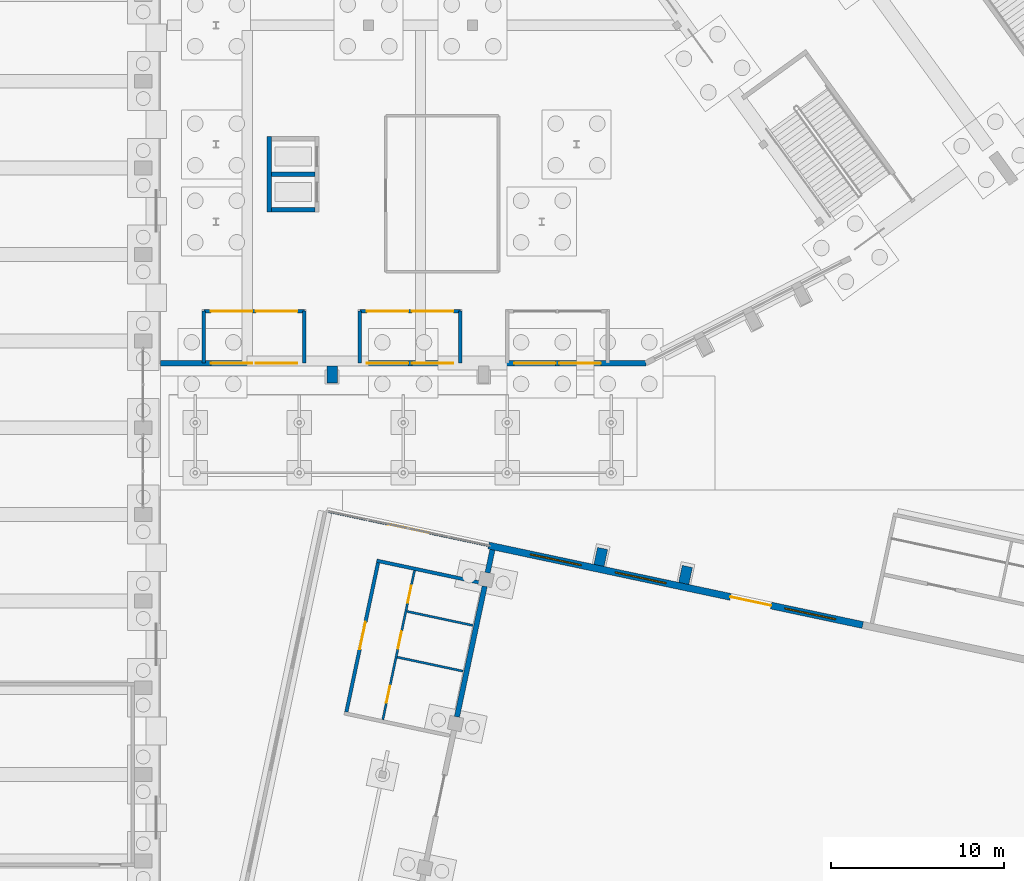
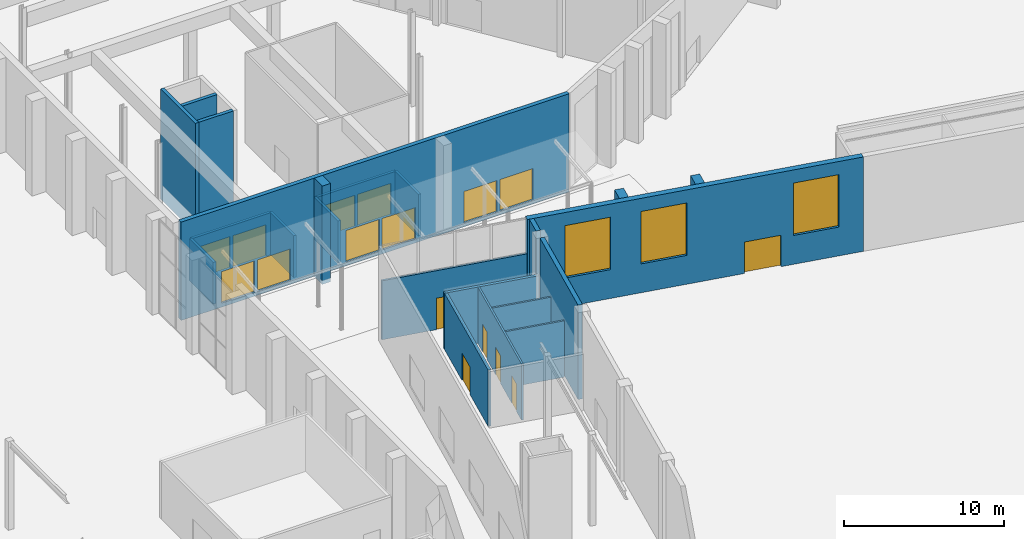
# One storey, part 182 of 239: 22 walls, 16 doors, 3 windows, 19 openings.
"""IFC4 building model written with IfcOpenShell, lengths in metres."""

import ifcopenshell
import ifcopenshell.guid

model = None  # the IFC model being written
_history = None  # IfcOwnerHistory: only IFC2X3 demands one
_inside = {}  # id of a spatial element -> (the spatial element, [elements in it])
_under = {}  # id of a project, library or spatial element -> (it, [spatial elements below it])
_declared = {}  # id of a project -> (the project, [libraries it declares])
_typed = {}  # id of a type object -> (the type object, [elements of that type])
_made_of = {}  # id of a material, layer set ... -> (it, [elements and type objects made of it])


def new_model(schema):
    """Start an empty IFC model of exactly this schema.

    Asked for "IFC4X3", IfcOpenShell would pick the latest addendum, in which some entities
    have other attributes; the version numbers below select the first issue.
    IFC2X3 requires an IfcOwnerHistory on every rooted entity: one is made here for all.
    """
    global model, _history
    if schema == "IFC4X3":
        model = ifcopenshell.file(schema_version=(4, 3, 0, 0))
    else:
        model = ifcopenshell.file(schema=schema)
    _inside.clear()
    _under.clear()
    _declared.clear()
    _typed.clear()
    _made_of.clear()
    _history = None
    if model.schema == "IFC2X3":
        org = make("IfcOrganization", Name="unknown")
        user = make(
            "IfcPersonAndOrganization",
            ThePerson=make("IfcPerson", FamilyName="unknown"),
            TheOrganization=org,
        )
        app = make(
            "IfcApplication",
            ApplicationDeveloper=org,
            Version="unknown",
            ApplicationFullName="unknown",
            ApplicationIdentifier="unknown",
        )
        _history = make(
            "IfcOwnerHistory",
            OwningUser=user,
            OwningApplication=app,
            ChangeAction="ADDED",
            CreationDate=0,
        )
    return model


def make(cls, **values):
    """One entity of the class cls with the attributes given. An attribute that is None is left unset."""
    return model.create_entity(
        cls, **{name: value for name, value in values.items() if value is not None}
    )


def rooted(cls, **values):
    """An entity with a GlobalId (a new one), such as an element, a storey or a relation."""
    return make(cls, GlobalId=ifcopenshell.guid.new(), OwnerHistory=_history, **values)


def si_unit(unit_type, name, prefix=None):
    """IfcSIUnit, for example si_unit("LENGTHUNIT", "METRE", prefix="MILLI")."""
    return make("IfcSIUnit", UnitType=unit_type, Prefix=prefix, Name=name)


def assignment(units):
    """IfcUnitAssignment: the units of a project."""
    return None if units is None else make("IfcUnitAssignment", Units=units)


def point(xyz):
    """IfcCartesianPoint."""
    return None if xyz is None else make("IfcCartesianPoint", Coordinates=xyz)


def direction(xyz):
    """IfcDirection."""
    return None if xyz is None else make("IfcDirection", DirectionRatios=xyz)


def frame(location, z_axis=None, x_axis=None):
    """IfcAxis2Placement3D, a coordinate frame: its origin and axes. An axis left out is left unset."""
    return make(
        "IfcAxis2Placement3D",
        Location=point(location),
        Axis=direction(z_axis),
        RefDirection=direction(x_axis),
    )


def frame_2d(location, x_axis=None):
    """IfcAxis2Placement2D, a coordinate frame in the plane: its origin and x axis."""
    return make(
        "IfcAxis2Placement2D", Location=point(location), RefDirection=direction(x_axis)
    )


def origin():
    """The frame at (0, 0, 0) with its axes left unset."""
    return frame((0.0, 0.0, 0.0))


def place(relative_to, where):
    """IfcLocalPlacement: puts the frame where relative to a parent placement (None: the world)."""
    return make(
        "IfcLocalPlacement", PlacementRelTo=relative_to, RelativePlacement=where
    )


def context(
    kind, dimensions, precision=None, world=None, true_north=None, identifier=None
):
    """IfcGeometricRepresentationContext, for example the 3D "Model" context."""
    return make(
        "IfcGeometricRepresentationContext",
        ContextIdentifier=identifier,
        ContextType=kind,
        CoordinateSpaceDimension=dimensions,
        Precision=precision,
        WorldCoordinateSystem=world,
        TrueNorth=true_north,
    )


def subcontext(parent, identifier, kind, view, scale=None):
    """IfcGeometricRepresentationSubContext, for example "Body" below "Model"."""
    return make(
        "IfcGeometricRepresentationSubContext",
        ContextIdentifier=identifier,
        ContextType=kind,
        ParentContext=parent,
        TargetScale=scale,
        TargetView=view,
    )


def project(units=None, contexts=None):
    """IfcProject with its units and contexts."""
    return rooted(
        "IfcProject",
        Name="project",
        RepresentationContexts=contexts,
        UnitsInContext=assignment(units),
    )


def spatial(cls, under=None, at=None, **own):
    """A site, building, storey or space (cls), placed at a placement, below another one or the project."""
    s = rooted(cls, ObjectPlacement=at, **own)
    if under is not None:
        _under.setdefault(under.id(), (under, []))[1].append(s)
    return s


def profile(cls, at=None, kind="AREA", **sizes):
    """A parametric profile (cls). Its sizes go by their IFC names, for example OverallWidth=200.0."""
    return make(cls, ProfileType=kind, Position=at, **sizes)


def rectangle(**sizes):
    """IfcRectangleProfileDef."""
    return profile("IfcRectangleProfileDef", **sizes)


def extrude(swept, where, along, depth):
    """IfcExtrudedAreaSolid: the profile swept, set in the frame where, extruded along a direction by depth."""
    return make(
        "IfcExtrudedAreaSolid",
        SweptArea=swept,
        Position=where,
        ExtrudedDirection=direction(along),
        Depth=depth,
    )


def shape(context_of_items, identifier, shape_type, items):
    """IfcShapeRepresentation: the items that make up one representation, for example the "Body"."""
    return make(
        "IfcShapeRepresentation",
        ContextOfItems=context_of_items,
        RepresentationIdentifier=identifier,
        RepresentationType=shape_type,
        Items=items,
    )


def material(Name=None, Category=None):
    """IfcMaterial."""
    return make("IfcMaterial", Name=Name, Category=Category)


def layer(
    of_material, thickness, ventilated=None, Name=None, Category=None, Priority=None
):
    """IfcMaterialLayer: one layer of a wall or slab, of a material (None: an air gap)."""
    return make(
        "IfcMaterialLayer",
        Material=of_material,
        LayerThickness=thickness,
        IsVentilated=ventilated,
        Name=Name,
        Category=Category,
        Priority=Priority,
    )


def layer_set(layers, Name=None):
    """IfcMaterialLayerSet."""
    return make("IfcMaterialLayerSet", MaterialLayers=layers, LayerSetName=Name)


def made_of(thing, what):
    """Note that an element or type object is made of a material, layer set ...; save() writes the relation."""
    if what is not None:
        _made_of.setdefault(what.id(), (what, []))[1].append(thing)
    return thing


def type_object(cls, material=None, **own):
    """A type object (cls), such as IfcWallType, which elements share."""
    return made_of(rooted(cls, **own), material)


def element(
    cls,
    number,
    at=None,
    inside=None,
    cuts=None,
    type_object=None,
    material=None,
    context=None,
    identifier="Body",
    shape_type=None,
    held_by="IfcProductDefinitionShape",
    body=None,
    shapes=None,
    **own,
):
    """One element of the class cls, such as IfcWall. Its Tag is "e" and its number.

    at: its placement. inside: the storey or other place that contains it. cuts: it is an
    opening in that element (IfcRelVoidsElement). A single representation is given by context,
    identifier, shape_type and body (its items); several are given by shapes. held_by: the class
    of the entity that holds the representations. save() writes the other relations.
    """
    e = rooted(cls, Tag="e%d" % number, ObjectPlacement=at, **own)
    if body is not None:
        shapes = [shape(context, identifier, shape_type, body)]
    if shapes is not None:
        e.Representation = make(held_by, Representations=shapes)
    if inside is not None:
        _inside.setdefault(inside.id(), (inside, []))[1].append(e)
    if cuts is not None:
        rooted(
            "IfcRelVoidsElement", RelatingBuildingElement=cuts, RelatedOpeningElement=e
        )
    if type_object is not None:
        _typed.setdefault(type_object.id(), (type_object, []))[1].append(e)
    return made_of(e, material)


def fill(opening, filler):
    """IfcRelFillsElement: the door or window that sits in an opening."""
    return rooted(
        "IfcRelFillsElement",
        RelatingOpeningElement=opening,
        RelatedBuildingElement=filler,
    )


def aggregate(whole, parts):
    """IfcRelAggregates: a whole, such as a stair, and the parts it consists of."""
    return rooted("IfcRelAggregates", RelatingObject=whole, RelatedObjects=parts)


def save(model, path):
    """Write the relations noted so far, then the file.

    IfcRelAggregates (storeys below a building ...), IfcRelContainedInSpatialStructure (elements
    in a storey), IfcRelDefinesByType, IfcRelAssociatesMaterial and IfcRelDeclares: one each for
    every whole, place, type object, material and project.
    """
    for whole, parts in _under.values():
        aggregate(whole, parts)
    for where, things in _inside.values():
        rooted(
            "IfcRelContainedInSpatialStructure",
            RelatedElements=things,
            RelatingStructure=where,
        )
    for kind, things in _typed.values():
        rooted("IfcRelDefinesByType", RelatedObjects=things, RelatingType=kind)
    for what, things in _made_of.values():
        rooted("IfcRelAssociatesMaterial", RelatedObjects=things, RelatingMaterial=what)
    for by, libraries in _declared.values():
        rooted("IfcRelDeclares", RelatingContext=by, RelatedDefinitions=libraries)
    model.write(path)


model = new_model("IFC4")

# Units and contexts
model_context = context("Model", 3, precision=1e-05, world=origin(), true_north=direction((0.0, 1.0)))
body_context = subcontext(model_context, "Body", "Model", "MODEL_VIEW")
ifc_project = project(units=[si_unit("LENGTHUNIT", "METRE"), si_unit("AREAUNIT", "SQUARE_METRE"), si_unit("VOLUMEUNIT", "CUBIC_METRE"), si_unit("PLANEANGLEUNIT", "RADIAN"), si_unit("MASSUNIT", "GRAM", prefix="KILO")], contexts=[model_context])

# Site, building, storey
site_placement = place(None, origin())
site = spatial("IfcSite", under=ifc_project, at=site_placement, CompositionType="ELEMENT")
building_placement = place(site_placement, origin())
building = spatial("IfcBuilding", under=site, at=building_placement, Name="Okhra Congress Centre", CompositionType="ELEMENT")
storey_placement = place(building_placement, origin())
storey = spatial("IfcBuildingStorey", under=building, at=storey_placement, Name="L00", CompositionType="ELEMENT", Elevation=0.0)

# Wall, opening, door
ifc_material_1 = material(Name="Aluminium frame with insulated glazing (thermally broken)", Category="aluminium")
ifc_layer_1 = layer(ifc_material_1, 0.14990234375)
ifc_layer_set_1 = layer_set([ifc_layer_1], Name="Aluminium glazed screen wall 150")
wall_type_1 = type_object("IfcWallType", Name="Aluminium glazed screen wall 150", PredefinedType="SOLIDWALL", material=ifc_layer_set_1)
wall_1_placement = place(storey_placement, frame((199.60546875, 141.1904296875, 0.0), z_axis=(0.0, 0.0, 1.0), x_axis=(0.978150512552, -0.207897991319, 0.0)))
wall_1 = element("IfcWall", 1, at=wall_1_placement, inside=storey, type_object=wall_type_1, Name="Foyer north entrance wall", PredefinedType="SOLIDWALL", context=body_context, shape_type="SweptSolid", body=[
    extrude(rectangle(XDim=9.60009765625, YDim=0.14990234375, at=frame_2d((4.800048828125, 0.0))), origin(), (0.0, 0.0, 1.0), 4.5),
])
opening_1_placement = place(wall_1_placement, frame((3.60009765625, 0.0, 0.0)))
opening_1 = element("IfcOpeningElement", 2, at=opening_1_placement, cuts=wall_1, Name="Opening L00-120", PredefinedType="OPENING", context=body_context, shape_type="SweptSolid", body=[
    extrude(rectangle(XDim=2.39990234375, YDim=2.39990234375, at=frame_2d((1.199951171875, 1.199951171875))), frame((0.0, 0.0849609375, 0.0), z_axis=(0.0, -1.0, 0.0), x_axis=(1.0, 0.0, 0.0)), (0.0, 0.0, 1.0), 0.169921875),
])
ifc_material_2 = material(Name="Aluminium-framed toughened glass door leaves", Category="aluminium")
door_type_1 = type_object("IfcDoorType", Name="Aluminium glazed door pair 2400x2400", OperationType="NOTDEFINED", PredefinedType="DOOR", material=ifc_material_2)
door_1_placement = place(opening_1_placement, origin())
door_1 = element("IfcDoor", 3, at=door_1_placement, inside=storey, type_object=door_type_1, Name="Foyer north exit doors", OperationType="DOUBLE_DOOR_SINGLE_SWING", OverallHeight=2.39990234375, OverallWidth=2.39990234375, PredefinedType="DOOR", context=body_context, shape_type="SweptSolid", body=[
    extrude(rectangle(XDim=2.39990234375, YDim=2.39990234375, at=frame_2d((1.199951171875, 1.199951171875))), frame((0.0, 0.02490234375, 0.0), z_axis=(0.0, -1.0, 0.0), x_axis=(1.0, 0.0, 0.0)), (0.0, 0.0, 1.0), 0.050048828125),
])
fill(opening_1, door_1)

# Walls
ifc_material_3 = material(Name="Concrete C35/45", Category="concrete")
ifc_layer_2 = layer(ifc_material_3, 0.60009765625)
ifc_layer_set_2 = layer_set([ifc_layer_2], Name="Ballroom wall fin 600 R 120 C35/45")
wall_type_2 = type_object("IfcWallType", Name="Ballroom wall fin 600 R 120 C35/45", PredefinedType="SOLIDWALL", material=ifc_layer_set_2)
wall_2_placement = place(storey_placement, frame((215.29736328125, 138.0595703125, -0.300048828125), z_axis=(0.0, 0.0, 1.0), x_axis=(0.208028123778, 0.978122844901, 0.0)))
element("IfcWall", 4, at=wall_2_placement, inside=storey, type_object=wall_type_2, Name="Ballroom wall fin north-west 1 L00", PredefinedType="SOLIDWALL", context=body_context, shape_type="SweptSolid", body=[
    extrude(rectangle(XDim=1.0, YDim=0.60009765625, at=frame_2d((0.5, 0.0))), origin(), (0.0, 0.0, 1.0), 7.5),
])
wall_3_placement = place(storey_placement, frame((220.188232421875, 137.02001953125, -0.300048828125), z_axis=(0.0, 0.0, 1.0), x_axis=(0.20779450791, 0.978172501394, 0.0)))
element("IfcWall", 5, at=wall_3_placement, inside=storey, type_object=wall_type_2, Name="Ballroom wall fin north-west 2 L00", PredefinedType="SOLIDWALL", context=body_context, shape_type="SweptSolid", body=[
    extrude(rectangle(XDim=0.999755859375, YDim=0.60009765625, at=frame_2d((0.5, 0.0))), origin(), (0.0, 0.0, 1.0), 7.5),
])
ifc_layer_3 = layer(ifc_material_3, 0.60009765625)
ifc_layer_set_3 = layer_set([ifc_layer_3], Name="Foyer wall fin 600 R 120 C35/45")
wall_type_3 = type_object("IfcWallType", Name="Foyer wall fin 600 R 120 C35/45", PredefinedType="SOLIDWALL", material=ifc_layer_set_3)
wall_4_placement = place(storey_placement, frame((199.89990234375, 149.580078125, -0.300048828125), z_axis=(0.0, 0.0, 1.0), x_axis=(0.0, -1.0, 0.0)))
element("IfcWall", 6, at=wall_4_placement, inside=storey, type_object=wall_type_3, Name="Foyer wall fin 1 L00", PredefinedType="SOLIDWALL", context=body_context, shape_type="SweptSolid", body=[
    extrude(rectangle(XDim=1.0, YDim=0.60009765625, at=frame_2d((0.5, 0.0))), origin(), (0.0, 0.0, 1.0), 7.5),
])

# Wall, openings, door, windows
ifc_material_4 = material(Name="Insulated metal sandwich panel (mineral wool core)")
ifc_layer_4 = layer(ifc_material_4, 0.39990234375)
ifc_layer_set_4 = layer_set([ifc_layer_4], Name="Insulated wall panel 400")
wall_type_4 = type_object("IfcWallType", Name="Insulated wall panel 400", PredefinedType="SOLIDWALL", material=ifc_layer_set_4)
wall_5_placement = place(storey_placement, frame((208.92724609375, 139.208984375, 0.0), z_axis=(0.0, 0.0, 1.0), x_axis=(0.978147350686, -0.207912867197, 0.0)))
wall_5 = element("IfcWall", 7, at=wall_5_placement, inside=storey, type_object=wall_type_4, Name="Ballroom north-west wall L00", PredefinedType="SOLIDWALL", context=body_context, shape_type="SweptSolid", body=[
    extrude(rectangle(XDim=22.06982421875, YDim=0.39990234375, at=frame_2d((11.034912109375, 0.0))), origin(), (0.0, 0.0, 1.0), 7.199951171875),
])
opening_2_placement = place(wall_5_placement, frame((14.27001953125, 0.0, 0.0)))
opening_2 = element("IfcOpeningElement", 8, at=opening_2_placement, cuts=wall_5, Name="Opening L00-112", PredefinedType="OPENING", context=body_context, shape_type="SweptSolid", body=[
    extrude(rectangle(XDim=2.39990234375, YDim=2.39990234375, at=frame_2d((1.199951171875, 1.199951171875))), frame((0.0, 0.2099609375, 0.0), z_axis=(0.0, -1.0, 0.0), x_axis=(1.0, 0.0, 0.0)), (0.0, 0.0, 1.0), 0.419921875),
])
opening_3_placement = place(wall_5_placement, frame((2.469970703125, 0.0, 2.199951171875)))
opening_3 = element("IfcOpeningElement", 9, at=opening_3_placement, cuts=wall_5, Name="Opening WN12", PredefinedType="OPENING", context=body_context, shape_type="SweptSolid", body=[
    extrude(rectangle(XDim=3.0, YDim=4.0, at=frame_2d((1.5, 2.0))), frame((0.0, 0.2099609375, 0.0), z_axis=(0.0, -1.0, 0.0), x_axis=(1.0, 0.0, 0.0)), (0.0, 0.0, 1.0), 0.419921875),
])
opening_4_placement = place(wall_5_placement, frame((7.469970703125, 0.0, 2.199951171875)))
opening_4 = element("IfcOpeningElement", 10, at=opening_4_placement, cuts=wall_5, Name="Opening WN12", PredefinedType="OPENING", context=body_context, shape_type="SweptSolid", body=[
    extrude(rectangle(XDim=3.0, YDim=4.0, at=frame_2d((1.5, 2.0))), frame((0.0, 0.2099609375, 0.0), z_axis=(0.0, -1.0, 0.0), x_axis=(1.0, 0.0, 0.0)), (0.0, 0.0, 1.0), 0.419921875),
])
opening_5_placement = place(wall_5_placement, frame((17.469970703125, 0.0, 2.199951171875)))
opening_5 = element("IfcOpeningElement", 11, at=opening_5_placement, cuts=wall_5, Name="Opening WN12", PredefinedType="OPENING", context=body_context, shape_type="SweptSolid", body=[
    extrude(rectangle(XDim=3.0, YDim=4.0, at=frame_2d((1.5, 2.0))), frame((0.0, 0.2099609375, 0.0), z_axis=(0.0, -1.0, 0.0), x_axis=(1.0, 0.0, 0.0)), (0.0, 0.0, 1.0), 0.419921875),
])
ifc_material_5 = material(Name="Timber door leaves in steel frame", Category="steel")
door_type_2 = type_object("IfcDoorType", Name="Double swing door 2400x2400", OperationType="NOTDEFINED", PredefinedType="DOOR", material=ifc_material_5)
door_2_placement = place(opening_2_placement, origin())
door_2 = element("IfcDoor", 12, at=door_2_placement, inside=storey, type_object=door_type_2, Name="Ballroom north-west exit doors", OperationType="DOUBLE_DOOR_SINGLE_SWING", OverallHeight=2.39990234375, OverallWidth=2.39990234375, PredefinedType="DOOR", context=body_context, shape_type="SweptSolid", body=[
    extrude(rectangle(XDim=2.39990234375, YDim=2.39990234375, at=frame_2d((1.199951171875, 1.199951171875))), frame((0.0, 0.02490234375, 0.0), z_axis=(0.0, -1.0, 0.0), x_axis=(1.0, 0.0, 0.0)), (0.0, 0.0, 1.0), 0.050048828125),
])
fill(opening_2, door_2)
ifc_material_6 = material(Name="Thermally broken aluminium frame, triple glazing", Category="aluminium")
window_type = type_object("IfcWindowType", Name="Fixed window 3000x4000", PartitioningType="SINGLE_PANEL", PredefinedType="WINDOW", material=ifc_material_6)
window_1_placement = place(opening_3_placement, origin())
window_1 = element("IfcWindow", 13, at=window_1_placement, inside=storey, type_object=window_type, Name="Ballroom side window", OverallHeight=4.0, OverallWidth=3.0, PartitioningType="SINGLE_PANEL", PredefinedType="WINDOW", context=body_context, shape_type="SweptSolid", body=[
    extrude(rectangle(XDim=3.0, YDim=4.0, at=frame_2d((1.5, 2.0))), frame((0.0, 0.030029296875, 0.0), z_axis=(0.0, -1.0, 0.0), x_axis=(1.0, 0.0, 0.0)), (0.0, 0.0, 1.0), 0.06005859375),
])
fill(opening_3, window_1)
window_2_placement = place(opening_4_placement, origin())
window_2 = element("IfcWindow", 14, at=window_2_placement, inside=storey, type_object=window_type, Name="Ballroom side window", OverallHeight=4.0, OverallWidth=3.0, PartitioningType="SINGLE_PANEL", PredefinedType="WINDOW", context=body_context, shape_type="SweptSolid", body=[
    extrude(rectangle(XDim=3.0, YDim=4.0, at=frame_2d((1.5, 2.0))), frame((0.0, 0.030029296875, 0.0), z_axis=(0.0, -1.0, 0.0), x_axis=(1.0, 0.0, 0.0)), (0.0, 0.0, 1.0), 0.06005859375),
])
fill(opening_4, window_2)
window_3_placement = place(opening_5_placement, origin())
window_3 = element("IfcWindow", 15, at=window_3_placement, inside=storey, type_object=window_type, Name="Ballroom side window", OverallHeight=4.0, OverallWidth=3.0, PartitioningType="SINGLE_PANEL", PredefinedType="WINDOW", context=body_context, shape_type="SweptSolid", body=[
    extrude(rectangle(XDim=3.0, YDim=4.0, at=frame_2d((1.5, 2.0))), frame((0.0, 0.030029296875, 0.0), z_axis=(0.0, -1.0, 0.0), x_axis=(1.0, 0.0, 0.0)), (0.0, 0.0, 1.0), 0.06005859375),
])
fill(opening_5, window_3)

# Walls
ifc_material_7 = material(Name="Gypsum board on steel studs", Category="steel")
ifc_layer_5 = layer(ifc_material_7, 0.125)
ifc_layer_set_5 = layer_set([ifc_layer_5], Name="Partition 125")
wall_type_5 = type_object("IfcWallType", Name="Partition 125", PredefinedType="PARTITIONING", material=ifc_layer_set_5)
wall_6_placement = place(storey_placement, frame((203.654541015625, 132.764404296875, 0.0), z_axis=(0.0, 0.0, 1.0), x_axis=(0.978144803819, -0.207924848834, 0.0)))
element("IfcWall", 16, at=wall_6_placement, inside=storey, type_object=wall_type_5, Name="Women's WC partition", PredefinedType="PARTITIONING", context=body_context, shape_type="SweptSolid", body=[
    extrude(rectangle(XDim=3.8876953125, YDim=0.125, at=frame_2d((1.94384765625, 0.0))), origin(), (0.0, 0.0, 1.0), 4.300048828125),
])
wall_7_placement = place(storey_placement, frame((204.216064453125, 135.405517578125, 0.0), z_axis=(0.0, 0.0, 1.0), x_axis=(0.97814208863, -0.207937621538, 0.0)))
element("IfcWall", 17, at=wall_7_placement, inside=storey, type_object=wall_type_5, Name="Men's WC partition", PredefinedType="PARTITIONING", context=body_context, shape_type="SweptSolid", body=[
    extrude(rectangle(XDim=3.887451171875, YDim=0.125, at=frame_2d((1.94384765625, 0.0))), origin(), (0.0, 0.0, 1.0), 4.300048828125),
])

# Wall, openings, doors
ifc_layer_6 = layer(ifc_material_7, 0.125)
ifc_layer_set_6 = layer_set([ifc_layer_6], Name="Partition 125 EI 15")
wall_type_6 = type_object("IfcWallType", Name="Partition 125 EI 15", PredefinedType="PARTITIONING", material=ifc_layer_set_6)
wall_8_placement = place(storey_placement, frame((202.82421875, 129.158203125, 0.0), z_axis=(0.0, 0.0, 1.0), x_axis=(0.207908858699, 0.978148202715, 0.0)))
wall_8 = element("IfcWall", 18, at=wall_8_placement, inside=storey, type_object=wall_type_6, Name="Toilet lobby partition", PredefinedType="PARTITIONING", context=body_context, shape_type="SweptSolid", body=[
    extrude(rectangle(XDim=8.800048828125, YDim=0.125, at=frame_2d((4.39990234375, 0.0))), origin(), (0.0, 0.0, 1.0), 4.300048828125),
])
opening_6_placement = place(wall_8_placement, frame((1.0, 0.0, 0.0)))
opening_6 = element("IfcOpeningElement", 19, at=opening_6_placement, cuts=wall_8, Name="Opening L00-123", PredefinedType="OPENING", context=body_context, shape_type="SweptSolid", body=[
    extrude(rectangle(XDim=1.0, YDim=2.10009765625, at=frame_2d((0.5, 1.050048828125))), frame((0.0, 0.072509765625, 0.0), z_axis=(0.0, -1.0, 0.0), x_axis=(1.0, 0.0, 0.0)), (0.0, 0.0, 1.0), 0.14501953125),
])
opening_7_placement = place(wall_8_placement, frame((4.199951171875, 0.0, 0.0)))
opening_7 = element("IfcOpeningElement", 20, at=opening_7_placement, cuts=wall_8, Name="Opening L00-124", PredefinedType="OPENING", context=body_context, shape_type="SweptSolid", body=[
    extrude(rectangle(XDim=1.0, YDim=2.10009765625, at=frame_2d((0.5, 1.050048828125))), frame((0.0, 0.072509765625, 0.0), z_axis=(0.0, -1.0, 0.0), x_axis=(1.0, 0.0, 0.0)), (0.0, 0.0, 1.0), 0.14501953125),
])
opening_8_placement = place(wall_8_placement, frame((6.89990234375, 0.0, 0.0)))
opening_8 = element("IfcOpeningElement", 21, at=opening_8_placement, cuts=wall_8, Name="Opening L00-125", PredefinedType="OPENING", context=body_context, shape_type="SweptSolid", body=[
    extrude(rectangle(XDim=1.0, YDim=2.10009765625, at=frame_2d((0.5, 1.050048828125))), frame((0.0, 0.072509765625, 0.0), z_axis=(0.0, -1.0, 0.0), x_axis=(1.0, 0.0, 0.0)), (0.0, 0.0, 1.0), 0.14501953125),
])
ifc_material_8 = material(Name="Timber door leaf in steel frame", Category="steel")
door_type_3 = type_object("IfcDoorType", Name="Single swing door 1000x2100", OperationType="NOTDEFINED", PredefinedType="DOOR", material=ifc_material_8)
door_3_placement = place(opening_6_placement, frame((1.0, 0.0, 0.0), z_axis=(0.0, 0.0, 1.0), x_axis=(-1.0, 0.0, 0.0)))
door_3 = element("IfcDoor", 22, at=door_3_placement, inside=storey, type_object=door_type_3, Name="Women's WC door", OperationType="SINGLE_SWING_RIGHT", OverallHeight=2.10009765625, OverallWidth=1.0, PredefinedType="DOOR", context=body_context, shape_type="SweptSolid", body=[
    extrude(rectangle(XDim=1.0, YDim=2.10009765625, at=frame_2d((0.5, 1.050048828125))), frame((0.0, 0.02490234375, 0.0), z_axis=(0.0, -1.0, 0.0), x_axis=(1.0, 0.0, 0.0)), (0.0, 0.0, 1.0), 0.050048828125),
])
fill(opening_6, door_3)
door_4_placement = place(opening_7_placement, frame((1.0, 0.0, 0.0), z_axis=(0.0, 0.0, 1.0), x_axis=(-1.0, 0.0, 0.0)))
door_4 = element("IfcDoor", 23, at=door_4_placement, inside=storey, type_object=door_type_3, Name="Men's WC door", OperationType="SINGLE_SWING_LEFT", OverallHeight=2.10009765625, OverallWidth=1.0, PredefinedType="DOOR", context=body_context, shape_type="SweptSolid", body=[
    extrude(rectangle(XDim=1.0, YDim=2.10009765625, at=frame_2d((0.5, 1.050048828125))), frame((0.0, 0.02490234375, 0.0), z_axis=(0.0, -1.0, 0.0), x_axis=(1.0, 0.0, 0.0)), (0.0, 0.0, 1.0), 0.050048828125),
])
fill(opening_7, door_4)
door_5_placement = place(opening_8_placement, frame((1.0, 0.0, 0.0), z_axis=(0.0, 0.0, 1.0), x_axis=(-1.0, 0.0, 0.0)))
door_5 = element("IfcDoor", 24, at=door_5_placement, inside=storey, type_object=door_type_3, Name="Accessible WC door", OperationType="SINGLE_SWING_RIGHT", OverallHeight=2.10009765625, OverallWidth=1.0, PredefinedType="DOOR", context=body_context, shape_type="SweptSolid", body=[
    extrude(rectangle(XDim=1.0, YDim=2.10009765625, at=frame_2d((0.5, 1.050048828125))), frame((0.0, 0.02490234375, 0.0), z_axis=(0.0, -1.0, 0.0), x_axis=(1.0, 0.0, 0.0)), (0.0, 0.0, 1.0), 0.050048828125),
])
fill(opening_8, door_5)

# Walls
ifc_material_9 = material(Name="Concrete C30/37", Category="concrete")
ifc_layer_7 = layer(ifc_material_9, 0.300048828125)
ifc_layer_set_7 = layer_set([ifc_layer_7], Name="RC partition wall 300 C30/37")
wall_type_7 = type_object("IfcWallType", Name="RC partition wall 300 C30/37", PredefinedType="SOLIDWALL", material=ifc_layer_set_7)
wall_9_placement = place(storey_placement, frame((207.101806640625, 129.322509765625, 0.0), z_axis=(0.0, 0.0, 1.0), x_axis=(0.207930804564, 0.978143537786, 0.0)))
element("IfcWall", 25, at=wall_9_placement, inside=storey, type_object=wall_type_7, Name="Hall and foyer partition wall", PredefinedType="SOLIDWALL", context=body_context, shape_type="SweptSolid", body=[
    extrude(rectangle(XDim=7.699951171875, YDim=0.300048828125, at=frame_2d((3.85009765625, 0.0))), origin(), (0.0, 0.0, 1.0), 7.199951171875),
])
wall_10_placement = place(storey_placement, frame((208.869140625, 137.63671875, 0.0), z_axis=(0.0, 0.0, 1.0), x_axis=(0.207960405185, 0.978137244908, 0.0)))
element("IfcWall", 26, at=wall_10_placement, inside=storey, type_object=wall_type_7, Name="Hall and foyer partition wall", PredefinedType="SOLIDWALL", context=body_context, shape_type="SweptSolid", body=[
    extrude(rectangle(XDim=1.35009765625, YDim=0.300048828125, at=frame_2d((0.675048828125, 0.0))), origin(), (0.0, 0.0, 1.0), 7.199951171875),
])
ifc_layer_8 = layer(ifc_material_9, 0.199951171875)
ifc_layer_set_8 = layer_set([ifc_layer_8], Name="RC wall 200 C30/37")
wall_type_8 = type_object("IfcWallType", Name="RC wall 200 C30/37", PredefinedType="SOLIDWALL", material=ifc_layer_set_8)
for number, where, z_axis, x_axis, name in (
    (27, (192.5, 149.72998046875, 0.0), (0.0, 0.0, 1.0), (0.0, 1.0, 0.0), "Vestibule 1 side wall 1"),
    (28, (198.300048828125, 149.72998046875, 0.0), (0.0, 0.0, 1.0), (0.0, 1.0, 0.0), "Vestibule 1 side wall 2"),
):
    element("IfcWall", number, at=place(storey_placement, frame(where, z_axis=z_axis, x_axis=x_axis)), inside=storey, type_object=wall_type_8, Name=name, PredefinedType="SOLIDWALL", context=body_context, shape_type="SweptSolid", body=[
        extrude(rectangle(XDim=3.0, YDim=0.199951171875, at=frame_2d((1.5, 0.0))), origin(), (0.0, 0.0, 1.0), 3.199951171875),
    ])

# Wall, openings, doors
wall_11_placement = place(storey_placement, frame((192.5, 152.72998046875, 0.0), z_axis=(0.0, 0.0, 1.0), x_axis=(1.0, 0.0, 0.0)))
wall_11 = element("IfcWall", 29, at=wall_11_placement, inside=storey, type_object=wall_type_8, Name="Vestibule 1 inner wall", PredefinedType="SOLIDWALL", context=body_context, shape_type="SweptSolid", body=[
    extrude(rectangle(XDim=5.800048828125, YDim=0.199951171875, at=frame_2d((2.89990234375, 0.0))), origin(), (0.0, 0.0, 1.0), 3.199951171875),
])
opening_9_placement = place(wall_11_placement, frame((0.39990234375, 0.0, 0.0)))
opening_9 = element("IfcOpeningElement", 30, at=opening_9_placement, cuts=wall_11, Name="Opening L00-209", PredefinedType="OPENING", context=body_context, shape_type="SweptSolid", body=[
    extrude(rectangle(XDim=2.39990234375, YDim=2.39990234375, at=frame_2d((1.199951171875, 1.199951171875))), frame((0.0, 0.10986328125, 0.0), z_axis=(0.0, -1.0, 0.0), x_axis=(1.0, 0.0, 0.0)), (0.0, 0.0, 1.0), 0.219970703125),
])
opening_10_placement = place(wall_11_placement, frame((3.0, 0.0, 0.0)))
opening_10 = element("IfcOpeningElement", 31, at=opening_10_placement, cuts=wall_11, Name="Opening L00-211", PredefinedType="OPENING", context=body_context, shape_type="SweptSolid", body=[
    extrude(rectangle(XDim=2.39990234375, YDim=2.39990234375, at=frame_2d((1.199951171875, 1.199951171875))), frame((0.0, 0.10986328125, 0.0), z_axis=(0.0, -1.0, 0.0), x_axis=(1.0, 0.0, 0.0)), (0.0, 0.0, 1.0), 0.219970703125),
])
door_6_placement = place(opening_9_placement, origin())
door_6 = element("IfcDoor", 32, at=door_6_placement, inside=storey, type_object=door_type_1, Name="Door L00-209", OperationType="DOUBLE_DOOR_SINGLE_SWING", OverallHeight=2.39990234375, OverallWidth=2.39990234375, PredefinedType="DOOR", context=body_context, shape_type="SweptSolid", body=[
    extrude(rectangle(XDim=2.39990234375, YDim=2.39990234375, at=frame_2d((1.199951171875, 1.199951171875))), frame((0.0, 0.02490234375, 0.0), z_axis=(0.0, -1.0, 0.0), x_axis=(1.0, 0.0, 0.0)), (0.0, 0.0, 1.0), 0.050048828125),
])
fill(opening_9, door_6)
door_7_placement = place(opening_10_placement, origin())
door_7 = element("IfcDoor", 33, at=door_7_placement, inside=storey, type_object=door_type_1, Name="Door L00-211", OperationType="DOUBLE_DOOR_SINGLE_SWING", OverallHeight=2.39990234375, OverallWidth=2.39990234375, PredefinedType="DOOR", context=body_context, shape_type="SweptSolid", body=[
    extrude(rectangle(XDim=2.39990234375, YDim=2.39990234375, at=frame_2d((1.199951171875, 1.199951171875))), frame((0.0, 0.02490234375, 0.0), z_axis=(0.0, -1.0, 0.0), x_axis=(1.0, 0.0, 0.0)), (0.0, 0.0, 1.0), 0.050048828125),
])
fill(opening_10, door_7)

# Walls
for number, where, z_axis, x_axis, name in (
    (34, (201.5, 149.72998046875, 0.0), (0.0, 0.0, 1.0), (0.0, 1.0, 0.0), "Vestibule 2 side wall 1"),
    (35, (207.300048828125, 149.72998046875, 0.0), (0.0, 0.0, 1.0), (0.0, 1.0, 0.0), "Vestibule 2 side wall 2"),
):
    element("IfcWall", number, at=place(storey_placement, frame(where, z_axis=z_axis, x_axis=x_axis)), inside=storey, type_object=wall_type_8, Name=name, PredefinedType="SOLIDWALL", context=body_context, shape_type="SweptSolid", body=[
        extrude(rectangle(XDim=3.0, YDim=0.199951171875, at=frame_2d((1.5, 0.0))), origin(), (0.0, 0.0, 1.0), 3.199951171875),
    ])

# Wall, openings, doors
wall_12_placement = place(storey_placement, frame((201.5, 152.72998046875, 0.0), z_axis=(0.0, 0.0, 1.0), x_axis=(1.0, 0.0, 0.0)))
wall_12 = element("IfcWall", 36, at=wall_12_placement, inside=storey, type_object=wall_type_8, Name="Vestibule 2 inner wall", PredefinedType="SOLIDWALL", context=body_context, shape_type="SweptSolid", body=[
    extrude(rectangle(XDim=5.800048828125, YDim=0.199951171875, at=frame_2d((2.89990234375, 0.0))), origin(), (0.0, 0.0, 1.0), 3.199951171875),
])
opening_11_placement = place(wall_12_placement, frame((0.39990234375, 0.0, 0.0)))
opening_11 = element("IfcOpeningElement", 37, at=opening_11_placement, cuts=wall_12, Name="Opening L00-213", PredefinedType="OPENING", context=body_context, shape_type="SweptSolid", body=[
    extrude(rectangle(XDim=2.39990234375, YDim=2.39990234375, at=frame_2d((1.199951171875, 1.199951171875))), frame((0.0, 0.10986328125, 0.0), z_axis=(0.0, -1.0, 0.0), x_axis=(1.0, 0.0, 0.0)), (0.0, 0.0, 1.0), 0.219970703125),
])
opening_12_placement = place(wall_12_placement, frame((3.0, 0.0, 0.0)))
opening_12 = element("IfcOpeningElement", 38, at=opening_12_placement, cuts=wall_12, Name="Opening L00-215", PredefinedType="OPENING", context=body_context, shape_type="SweptSolid", body=[
    extrude(rectangle(XDim=2.39990234375, YDim=2.39990234375, at=frame_2d((1.199951171875, 1.199951171875))), frame((0.0, 0.10986328125, 0.0), z_axis=(0.0, -1.0, 0.0), x_axis=(1.0, 0.0, 0.0)), (0.0, 0.0, 1.0), 0.219970703125),
])
door_8_placement = place(opening_11_placement, origin())
door_8 = element("IfcDoor", 39, at=door_8_placement, inside=storey, type_object=door_type_1, Name="Door L00-213", OperationType="DOUBLE_DOOR_SINGLE_SWING", OverallHeight=2.39990234375, OverallWidth=2.39990234375, PredefinedType="DOOR", context=body_context, shape_type="SweptSolid", body=[
    extrude(rectangle(XDim=2.39990234375, YDim=2.39990234375, at=frame_2d((1.199951171875, 1.199951171875))), frame((0.0, 0.02490234375, 0.0), z_axis=(0.0, -1.0, 0.0), x_axis=(1.0, 0.0, 0.0)), (0.0, 0.0, 1.0), 0.050048828125),
])
fill(opening_11, door_8)
door_9_placement = place(opening_12_placement, origin())
door_9 = element("IfcDoor", 40, at=door_9_placement, inside=storey, type_object=door_type_1, Name="Door L00-215", OperationType="DOUBLE_DOOR_SINGLE_SWING", OverallHeight=2.39990234375, OverallWidth=2.39990234375, PredefinedType="DOOR", context=body_context, shape_type="SweptSolid", body=[
    extrude(rectangle(XDim=2.39990234375, YDim=2.39990234375, at=frame_2d((1.199951171875, 1.199951171875))), frame((0.0, 0.02490234375, 0.0), z_axis=(0.0, -1.0, 0.0), x_axis=(1.0, 0.0, 0.0)), (0.0, 0.0, 1.0), 0.050048828125),
])
fill(opening_12, door_9)

# Wall
ifc_layer_9 = layer(ifc_material_9, 0.199951171875)
ifc_layer_set_9 = layer_set([ifc_layer_9], Name="RC wall 200 REI 120 C30/37")
wall_type_9 = type_object("IfcWallType", Name="RC wall 200 REI 120 C30/37", PredefinedType="SOLIDWALL", material=ifc_layer_set_9)
wall_13_placement = place(storey_placement, frame((202.473876953125, 138.33154296875, 0.0), z_axis=(0.0, 0.0, 1.0), x_axis=(0.978146839882, -0.207915270313, 0.0)))
element("IfcWall", 41, at=wall_13_placement, inside=storey, type_object=wall_type_9, Name="Toilet block north wall", PredefinedType="SOLIDWALL", context=body_context, shape_type="SweptSolid", body=[
    extrude(rectangle(XDim=6.199951171875, YDim=0.199951171875, at=frame_2d((3.10009765625, 0.0))), origin(), (0.0, 0.0, 1.0), 4.300048828125),
])

# Wall, opening, door
wall_14_placement = place(storey_placement, frame((200.72119140625, 129.605224609375, 0.0), z_axis=(0.0, 0.0, 1.0), x_axis=(0.207908858699, 0.978148202715, 0.0)))
wall_14 = element("IfcWall", 42, at=wall_14_placement, inside=storey, type_object=wall_type_9, Name="Toilet block west wall", PredefinedType="SOLIDWALL", context=body_context, shape_type="SweptSolid", body=[
    extrude(rectangle(XDim=8.800048828125, YDim=0.199951171875, at=frame_2d((4.39990234375, 0.0))), origin(), (0.0, 0.0, 1.0), 4.300048828125),
])
opening_13_placement = place(wall_14_placement, frame((3.699951171875, 0.0, 0.0)))
opening_13 = element("IfcOpeningElement", 43, at=opening_13_placement, cuts=wall_14, Name="Opening L00-122", PredefinedType="OPENING", context=body_context, shape_type="SweptSolid", body=[
    extrude(rectangle(XDim=1.60009765625, YDim=2.10009765625, at=frame_2d((0.800048828125, 1.050048828125))), frame((0.0, 0.10986328125, 0.0), z_axis=(0.0, -1.0, 0.0), x_axis=(1.0, 0.0, 0.0)), (0.0, 0.0, 1.0), 0.219970703125),
])
door_type_4 = type_object("IfcDoorType", Name="Double swing door 1600x2100 EI 30", OperationType="NOTDEFINED", PredefinedType="DOOR", material=ifc_material_5)
door_10_placement = place(opening_13_placement, origin())
door_10 = element("IfcDoor", 44, at=door_10_placement, inside=storey, type_object=door_type_4, Name="Toilet lobby doors", OperationType="DOUBLE_DOOR_SINGLE_SWING", OverallHeight=2.10009765625, OverallWidth=1.60009765625, PredefinedType="DOOR", context=body_context, shape_type="SweptSolid", body=[
    extrude(rectangle(XDim=1.60009765625, YDim=2.10009765625, at=frame_2d((0.800048828125, 1.050048828125))), frame((0.0, 0.02490234375, 0.0), z_axis=(0.0, -1.0, 0.0), x_axis=(1.0, 0.0, 0.0)), (0.0, 0.0, 1.0), 0.050048828125),
])
fill(opening_13, door_10)

# Walls
ifc_layer_10 = layer(ifc_material_9, 0.25)
ifc_layer_set_10 = layer_set([ifc_layer_10], Name="RC wall 250 REI 120 C30/37")
wall_type_10 = type_object("IfcWallType", Name="RC wall 250 REI 120 C30/37", PredefinedType="SOLIDWALL", material=ifc_layer_set_10)
wall_15_placement = place(storey_placement, frame((196.27490234375, 158.449951171875, -1.199951171875), z_axis=(0.0, 0.0, 1.0), x_axis=(0.0, 1.0, 0.0)))
element("IfcWall", 45, at=wall_15_placement, inside=storey, type_object=wall_type_10, Name="Lift shaft west wall L00", PredefinedType="SOLIDWALL", context=body_context, shape_type="SweptSolid", body=[
    extrude(rectangle(XDim=4.35009765625, YDim=0.25, at=frame_2d((2.175048828125, 0.0))), origin(), (0.0, 0.0, 1.0), 8.39990234375),
])
for number, where, z_axis, x_axis, name in (
    (46, (196.39990234375, 158.574951171875, -1.199951171875), (0.0, 0.0, 1.0), (1.0, 0.0, 0.0), "Lift shaft wall S L00"),
    (47, (196.39990234375, 160.625, -1.199951171875), (0.0, 0.0, 1.0), (1.0, 0.0, 0.0), "Lift shaft wall M L00"),
):
    element("IfcWall", number, at=place(storey_placement, frame(where, z_axis=z_axis, x_axis=x_axis)), inside=storey, type_object=wall_type_10, Name=name, PredefinedType="SOLIDWALL", context=body_context, shape_type="SweptSolid", body=[
        extrude(rectangle(XDim=2.5, YDim=0.25, at=frame_2d((1.25, 0.0))), origin(), (0.0, 0.0, 1.0), 8.39990234375),
    ])

# Wall, openings, doors
ifc_layer_11 = layer(ifc_material_9, 0.300048828125)
ifc_layer_set_11 = layer_set([ifc_layer_11], Name="RC wall 300 REI 120 C30/37")
wall_type_11 = type_object("IfcWallType", Name="RC wall 300 REI 120 C30/37", PredefinedType="SOLIDWALL", material=ifc_layer_set_11)
wall_16_placement = place(storey_placement, frame((190.0, 149.72998046875, -0.300048828125), z_axis=(0.0, 0.0, 1.0), x_axis=(1.0, 0.0, 0.0)))
wall_16 = element("IfcWall", 48, at=wall_16_placement, inside=storey, type_object=wall_type_11, Name="Foyer south wall L00", PredefinedType="SOLIDWALL", context=body_context, shape_type="SweptSolid", body=[
    extrude(rectangle(XDim=28.0, YDim=0.300048828125, at=frame_2d((14.0, 0.0))), origin(), (0.0, 0.0, 1.0), 7.5),
])
opening_14_placement = place(wall_16_placement, frame((2.89990234375, 0.0, 0.300048828125)))
opening_14 = element("IfcOpeningElement", 49, at=opening_14_placement, cuts=wall_16, Name="Opening L00-208", PredefinedType="OPENING", context=body_context, shape_type="SweptSolid", body=[
    extrude(rectangle(XDim=2.39990234375, YDim=2.39990234375, at=frame_2d((1.199951171875, 1.199951171875))), frame((0.0, 0.159912109375, 0.0), z_axis=(0.0, -1.0, 0.0), x_axis=(1.0, 0.0, 0.0)), (0.0, 0.0, 1.0), 0.320068359375),
])
opening_15_placement = place(wall_16_placement, frame((5.5, 0.0, 0.300048828125)))
opening_15 = element("IfcOpeningElement", 50, at=opening_15_placement, cuts=wall_16, Name="Opening L00-210", PredefinedType="OPENING", context=body_context, shape_type="SweptSolid", body=[
    extrude(rectangle(XDim=2.39990234375, YDim=2.39990234375, at=frame_2d((1.199951171875, 1.199951171875))), frame((0.0, 0.159912109375, 0.0), z_axis=(0.0, -1.0, 0.0), x_axis=(1.0, 0.0, 0.0)), (0.0, 0.0, 1.0), 0.320068359375),
])
opening_16_placement = place(wall_16_placement, frame((11.89990234375, 0.0, 0.300048828125)))
opening_16 = element("IfcOpeningElement", 51, at=opening_16_placement, cuts=wall_16, Name="Opening L00-212", PredefinedType="OPENING", context=body_context, shape_type="SweptSolid", body=[
    extrude(rectangle(XDim=2.39990234375, YDim=2.39990234375, at=frame_2d((1.199951171875, 1.199951171875))), frame((0.0, 0.159912109375, 0.0), z_axis=(0.0, -1.0, 0.0), x_axis=(1.0, 0.0, 0.0)), (0.0, 0.0, 1.0), 0.320068359375),
])
opening_17_placement = place(wall_16_placement, frame((14.5, 0.0, 0.300048828125)))
opening_17 = element("IfcOpeningElement", 52, at=opening_17_placement, cuts=wall_16, Name="Opening L00-214", PredefinedType="OPENING", context=body_context, shape_type="SweptSolid", body=[
    extrude(rectangle(XDim=2.39990234375, YDim=2.39990234375, at=frame_2d((1.199951171875, 1.199951171875))), frame((0.0, 0.159912109375, 0.0), z_axis=(0.0, -1.0, 0.0), x_axis=(1.0, 0.0, 0.0)), (0.0, 0.0, 1.0), 0.320068359375),
])
opening_18_placement = place(wall_16_placement, frame((20.39990234375, 0.0, 0.300048828125)))
opening_18 = element("IfcOpeningElement", 53, at=opening_18_placement, cuts=wall_16, Name="Opening L00-216", PredefinedType="OPENING", context=body_context, shape_type="SweptSolid", body=[
    extrude(rectangle(XDim=2.39990234375, YDim=2.39990234375, at=frame_2d((1.199951171875, 1.199951171875))), frame((0.0, 0.159912109375, 0.0), z_axis=(0.0, -1.0, 0.0), x_axis=(1.0, 0.0, 0.0)), (0.0, 0.0, 1.0), 0.320068359375),
])
opening_19_placement = place(wall_16_placement, frame((23.0, 0.0, 0.300048828125)))
opening_19 = element("IfcOpeningElement", 54, at=opening_19_placement, cuts=wall_16, Name="Opening L00-218", PredefinedType="OPENING", context=body_context, shape_type="SweptSolid", body=[
    extrude(rectangle(XDim=2.39990234375, YDim=2.39990234375, at=frame_2d((1.199951171875, 1.199951171875))), frame((0.0, 0.159912109375, 0.0), z_axis=(0.0, -1.0, 0.0), x_axis=(1.0, 0.0, 0.0)), (0.0, 0.0, 1.0), 0.320068359375),
])
door_11_placement = place(opening_14_placement, frame((2.39990234375, 0.0, 0.0), z_axis=(0.0, 0.0, 1.0), x_axis=(-1.0, 0.0, 0.0)))
door_11 = element("IfcDoor", 55, at=door_11_placement, inside=storey, type_object=door_type_1, Name="Door L00-208", OperationType="DOUBLE_DOOR_SINGLE_SWING", OverallHeight=2.39990234375, OverallWidth=2.39990234375, PredefinedType="DOOR", context=body_context, shape_type="SweptSolid", body=[
    extrude(rectangle(XDim=2.39990234375, YDim=2.39990234375, at=frame_2d((1.199951171875, 1.199951171875))), frame((0.0, 0.02490234375, 0.0), z_axis=(0.0, -1.0, 0.0), x_axis=(1.0, 0.0, 0.0)), (0.0, 0.0, 1.0), 0.050048828125),
])
fill(opening_14, door_11)
door_12_placement = place(opening_15_placement, frame((2.39990234375, 0.0, 0.0), z_axis=(0.0, 0.0, 1.0), x_axis=(-1.0, 0.0, 0.0)))
door_12 = element("IfcDoor", 56, at=door_12_placement, inside=storey, type_object=door_type_1, Name="Door L00-210", OperationType="DOUBLE_DOOR_SINGLE_SWING", OverallHeight=2.39990234375, OverallWidth=2.39990234375, PredefinedType="DOOR", context=body_context, shape_type="SweptSolid", body=[
    extrude(rectangle(XDim=2.39990234375, YDim=2.39990234375, at=frame_2d((1.199951171875, 1.199951171875))), frame((0.0, 0.02490234375, 0.0), z_axis=(0.0, -1.0, 0.0), x_axis=(1.0, 0.0, 0.0)), (0.0, 0.0, 1.0), 0.050048828125),
])
fill(opening_15, door_12)
door_13_placement = place(opening_16_placement, frame((2.39990234375, 0.0, 0.0), z_axis=(0.0, 0.0, 1.0), x_axis=(-1.0, 0.0, 0.0)))
door_13 = element("IfcDoor", 57, at=door_13_placement, inside=storey, type_object=door_type_1, Name="Door L00-212", OperationType="DOUBLE_DOOR_SINGLE_SWING", OverallHeight=2.39990234375, OverallWidth=2.39990234375, PredefinedType="DOOR", context=body_context, shape_type="SweptSolid", body=[
    extrude(rectangle(XDim=2.39990234375, YDim=2.39990234375, at=frame_2d((1.199951171875, 1.199951171875))), frame((0.0, 0.02490234375, 0.0), z_axis=(0.0, -1.0, 0.0), x_axis=(1.0, 0.0, 0.0)), (0.0, 0.0, 1.0), 0.050048828125),
])
fill(opening_16, door_13)
door_14_placement = place(opening_17_placement, frame((2.39990234375, 0.0, 0.0), z_axis=(0.0, 0.0, 1.0), x_axis=(-1.0, 0.0, 0.0)))
door_14 = element("IfcDoor", 58, at=door_14_placement, inside=storey, type_object=door_type_1, Name="Door L00-214", OperationType="DOUBLE_DOOR_SINGLE_SWING", OverallHeight=2.39990234375, OverallWidth=2.39990234375, PredefinedType="DOOR", context=body_context, shape_type="SweptSolid", body=[
    extrude(rectangle(XDim=2.39990234375, YDim=2.39990234375, at=frame_2d((1.199951171875, 1.199951171875))), frame((0.0, 0.02490234375, 0.0), z_axis=(0.0, -1.0, 0.0), x_axis=(1.0, 0.0, 0.0)), (0.0, 0.0, 1.0), 0.050048828125),
])
fill(opening_17, door_14)
door_15_placement = place(opening_18_placement, frame((2.39990234375, 0.0, 0.0), z_axis=(0.0, 0.0, 1.0), x_axis=(-1.0, 0.0, 0.0)))
door_15 = element("IfcDoor", 59, at=door_15_placement, inside=storey, type_object=door_type_1, Name="Door L00-216", OperationType="DOUBLE_DOOR_SINGLE_SWING", OverallHeight=2.39990234375, OverallWidth=2.39990234375, PredefinedType="DOOR", context=body_context, shape_type="SweptSolid", body=[
    extrude(rectangle(XDim=2.39990234375, YDim=2.39990234375, at=frame_2d((1.199951171875, 1.199951171875))), frame((0.0, 0.02490234375, 0.0), z_axis=(0.0, -1.0, 0.0), x_axis=(1.0, 0.0, 0.0)), (0.0, 0.0, 1.0), 0.050048828125),
])
fill(opening_18, door_15)
door_16_placement = place(opening_19_placement, frame((2.39990234375, 0.0, 0.0), z_axis=(0.0, 0.0, 1.0), x_axis=(-1.0, 0.0, 0.0)))
door_16 = element("IfcDoor", 60, at=door_16_placement, inside=storey, type_object=door_type_1, Name="Door L00-218", OperationType="DOUBLE_DOOR_SINGLE_SWING", OverallHeight=2.39990234375, OverallWidth=2.39990234375, PredefinedType="DOOR", context=body_context, shape_type="SweptSolid", body=[
    extrude(rectangle(XDim=2.39990234375, YDim=2.39990234375, at=frame_2d((1.199951171875, 1.199951171875))), frame((0.0, 0.02490234375, 0.0), z_axis=(0.0, -1.0, 0.0), x_axis=(1.0, 0.0, 0.0)), (0.0, 0.0, 1.0), 0.050048828125),
])
fill(opening_19, door_16)

save(model, "model.ifc")
